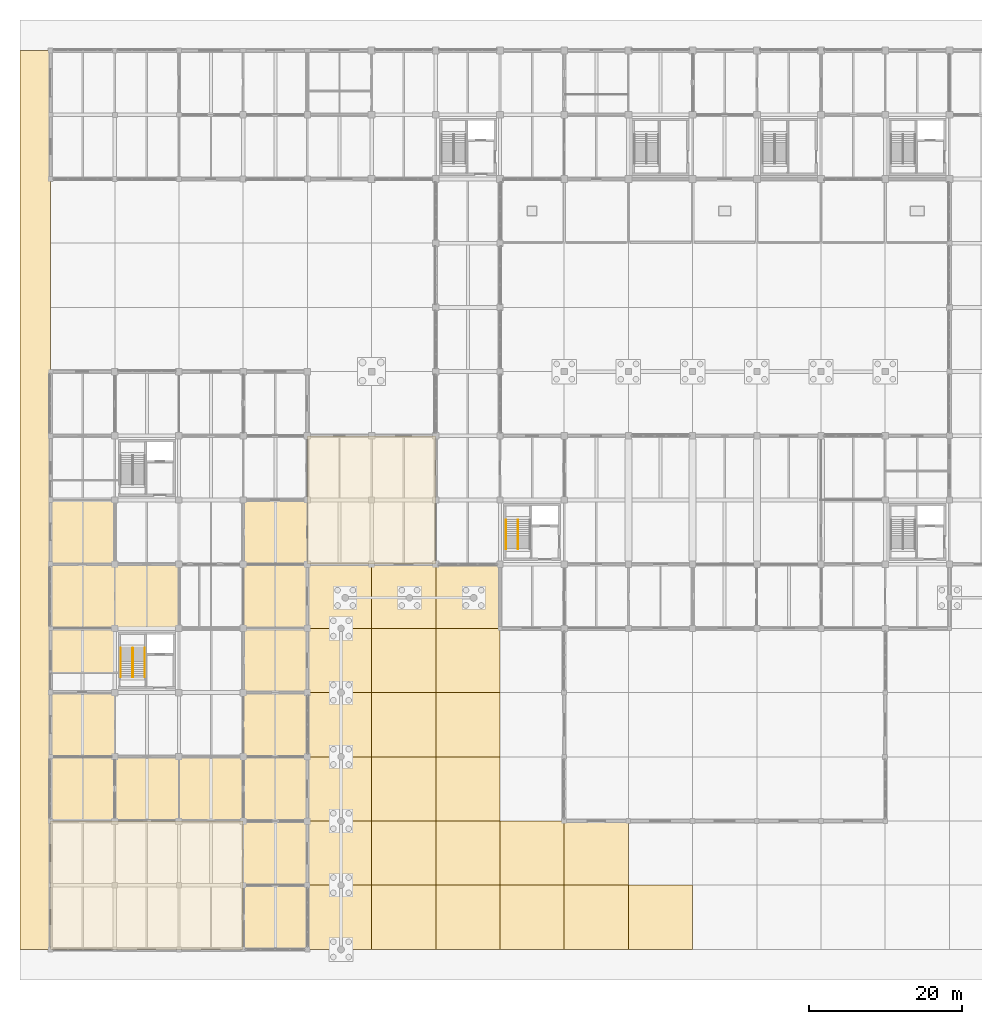
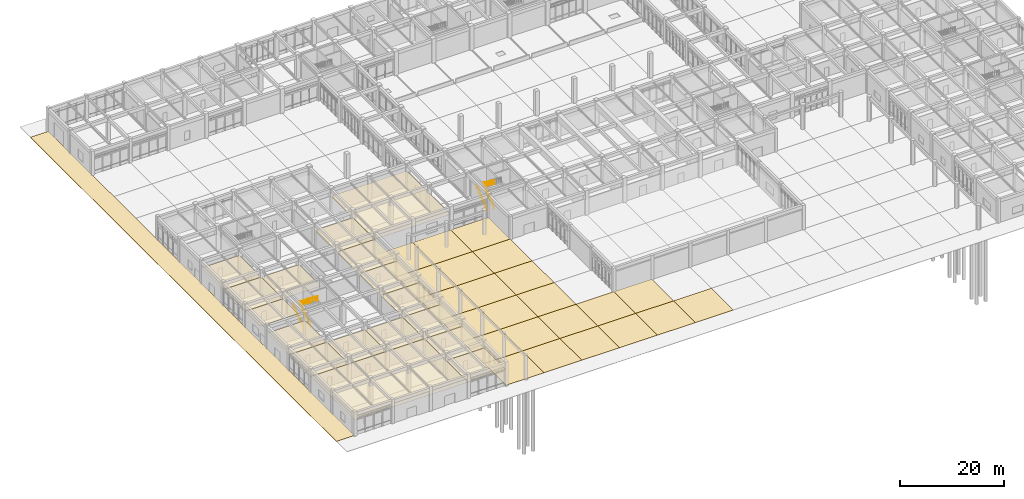
# One storey, part 85 of 91: 41 coverings, 7 railings.
"""IFC4 building model written with IfcOpenShell, lengths in metres."""

from ifc_helpers import new_model, si_unit, direction, frame, origin, origin_2d, place, context, subcontext, project, spatial, polyline, circle, outline, extrude, material, layer, layer_set, type_object, element, save


model = new_model("IFC4")

# Units and contexts
model_context = context("Model", 3, precision=1e-05, world=origin(), true_north=direction((0.0, 1.0)))
body_context = subcontext(model_context, "Body", "Model", "MODEL_VIEW")
ifc_project = project(units=[si_unit("LENGTHUNIT", "METRE"), si_unit("AREAUNIT", "SQUARE_METRE"), si_unit("VOLUMEUNIT", "CUBIC_METRE"), si_unit("PLANEANGLEUNIT", "RADIAN"), si_unit("MASSUNIT", "GRAM", prefix="KILO")], contexts=[model_context])

# Site, building, storey
site_placement = place(None, origin())
site = spatial("IfcSite", under=ifc_project, at=site_placement, CompositionType="ELEMENT")
building_placement = place(site_placement, origin())
building = spatial("IfcBuilding", under=site, at=building_placement, Name="Porcellanite Civic Hall", CompositionType="ELEMENT")
storey_placement = place(building_placement, origin())
storey = spatial("IfcBuildingStorey", under=building, at=storey_placement, Name="L00", CompositionType="ELEMENT", Elevation=0.0)

# Coverings
ifc_material_1 = material(Name="Perforated acoustic mineral-fibre and spotted-gum batten ceiling")
ifc_layer_1 = layer(ifc_material_1, 0.034912109375)
ifc_layer_set_1 = layer_set([ifc_layer_1], Name="Perforated acoustic mineral-fibre and spotted-gum batten ceiling")
covering_type_1 = type_object("IfcCoveringType", Name="COV-CL2", PredefinedType="CEILING", material=ifc_layer_set_1)
covering_1_placement = place(storey_placement, frame((0.0, 0.0, 3.625)))
element("IfcCovering", 1, at=covering_1_placement, inside=storey, type_object=covering_type_1, Name="Acoustic ceiling Civic Cafe", PredefinedType="CEILING", context=body_context, shape_type="SweptSolid", body=[
    extrude(outline(polyline([(0.010009765625, 0.010009765625), (25.18994140625, 0.010009765625), (25.18994140625, 16.7900390625), (0.010009765625, 16.7900390625), (0.010009765625, 0.010009765625)])), origin(), (0.0, 0.0, 1.0), 0.034912109375),
])
ifc_material_2 = material(Name="Perforated acoustic mineral-fibre and spotted-gum batten ceiling")
ifc_layer_2 = layer(ifc_material_2, 0.044921875)
ifc_layer_set_2 = layer_set([ifc_layer_2], Name="Perforated acoustic mineral-fibre and spotted-gum batten ceiling")
covering_type_2 = type_object("IfcCoveringType", Name="COV-CL3", PredefinedType="CEILING", material=ifc_layer_set_2)
covering_2_placement = place(storey_placement, frame((0.0, 0.0, 3.614990234375)))
element("IfcCovering", 2, at=covering_2_placement, inside=storey, type_object=covering_type_2, Name="Acoustic ceiling Civic Exhibition Gallery", PredefinedType="CEILING", context=body_context, shape_type="SweptSolid", body=[
    extrude(outline(polyline([(33.610107421875, 50.409912109375), (50.389892578125, 50.409912109375), (50.389892578125, 67.18994140625), (33.610107421875, 67.18994140625), (33.610107421875, 50.409912109375)])), origin(), (0.0, 0.0, 1.0), 0.044921875),
])
covering_3_placement = place(storey_placement, frame((0.0, 0.0, 3.614990234375)))
element("IfcCovering", 3, at=covering_3_placement, inside=storey, type_object=covering_type_2, Name="Acoustic ceiling Civic Advisory Suite L00-01", PredefinedType="CEILING", context=body_context, shape_type="SweptSolid", body=[
    extrude(outline(polyline([(0.010009765625, 16.81005859375), (8.389892578125, 16.81005859375), (8.389892578125, 25.18994140625), (0.010009765625, 25.18994140625), (0.010009765625, 16.81005859375)])), origin(), (0.0, 0.0, 1.0), 0.044921875),
])
covering_4_placement = place(storey_placement, frame((0.0, 0.0, 3.614990234375)))
element("IfcCovering", 4, at=covering_4_placement, inside=storey, type_object=covering_type_2, Name="Acoustic ceiling Mediation Hearing Room L00-02", PredefinedType="CEILING", context=body_context, shape_type="SweptSolid", body=[
    extrude(outline(polyline([(0.010009765625, 25.2099609375), (8.389892578125, 25.2099609375), (8.389892578125, 33.590087890625), (0.010009765625, 33.590087890625), (0.010009765625, 25.2099609375)])), origin(), (0.0, 0.0, 1.0), 0.044921875),
])
covering_5_placement = place(storey_placement, frame((0.0, 0.0, 3.614990234375)))
element("IfcCovering", 5, at=covering_5_placement, inside=storey, type_object=covering_type_2, Name="Acoustic ceiling Public Hearing Room L00-03", PredefinedType="CEILING", context=body_context, shape_type="SweptSolid", body=[
    extrude(outline(polyline([(0.010009765625, 36.18798828125), (8.389892578125, 36.18798828125), (8.389892578125, 41.989990234375), (0.010009765625, 41.989990234375), (0.010009765625, 36.18798828125)])), origin(), (0.0, 0.0, 1.0), 0.044921875),
])
covering_6_placement = place(storey_placement, frame((0.0, 0.0, 3.614990234375)))
element("IfcCovering", 6, at=covering_6_placement, inside=storey, type_object=covering_type_2, Name="Acoustic ceiling Civic Advisory Suite L00-04", PredefinedType="CEILING", context=body_context, shape_type="SweptSolid", body=[
    extrude(outline(polyline([(0.010009765625, 42.010009765625), (8.389892578125, 42.010009765625), (8.389892578125, 50.389892578125), (0.010009765625, 50.389892578125), (0.010009765625, 42.010009765625)])), origin(), (0.0, 0.0, 1.0), 0.044921875),
])
covering_7_placement = place(storey_placement, frame((0.0, 0.0, 3.614990234375)))
element("IfcCovering", 7, at=covering_7_placement, inside=storey, type_object=covering_type_2, Name="Acoustic ceiling Mediation Hearing Room L00-05", PredefinedType="CEILING", context=body_context, shape_type="SweptSolid", body=[
    extrude(outline(polyline([(0.010009765625, 50.409912109375), (8.389892578125, 50.409912109375), (8.389892578125, 58.7900390625), (0.010009765625, 58.7900390625), (0.010009765625, 50.409912109375)])), origin(), (0.0, 0.0, 1.0), 0.044921875),
])
covering_8_placement = place(storey_placement, frame((0.0, 0.0, 3.614990234375)))
element("IfcCovering", 8, at=covering_8_placement, inside=storey, type_object=covering_type_2, Name="Acoustic ceiling Mediation Hearing Room L00-08", PredefinedType="CEILING", context=body_context, shape_type="SweptSolid", body=[
    extrude(outline(polyline([(8.409912109375, 16.81005859375), (16.7900390625, 16.81005859375), (16.7900390625, 25.18994140625), (8.409912109375, 25.18994140625), (8.409912109375, 16.81005859375)])), origin(), (0.0, 0.0, 1.0), 0.044921875),
])
covering_9_placement = place(storey_placement, frame((0.0, 0.0, 3.614990234375)))
element("IfcCovering", 9, at=covering_9_placement, inside=storey, type_object=covering_type_2, Name="Acoustic ceiling Community Seminar Room L00-10", PredefinedType="CEILING", context=body_context, shape_type="SweptSolid", body=[
    extrude(outline(polyline([(8.409912109375, 42.010009765625), (16.7900390625, 42.010009765625), (16.7900390625, 50.389892578125), (8.409912109375, 50.389892578125), (8.409912109375, 42.010009765625)])), origin(), (0.0, 0.0, 1.0), 0.044921875),
])
covering_10_placement = place(storey_placement, frame((0.0, 0.0, 3.614990234375)))
element("IfcCovering", 10, at=covering_10_placement, inside=storey, type_object=covering_type_2, Name="Acoustic ceiling Mediation Hearing Room L00-13", PredefinedType="CEILING", context=body_context, shape_type="SweptSolid", body=[
    extrude(outline(polyline([(16.81005859375, 16.81005859375), (25.18994140625, 16.81005859375), (25.18994140625, 25.18994140625), (16.81005859375, 25.18994140625), (16.81005859375, 16.81005859375)])), origin(), (0.0, 0.0, 1.0), 0.044921875),
])
covering_11_placement = place(storey_placement, frame((0.0, 0.0, 3.614990234375)))
element("IfcCovering", 11, at=covering_11_placement, inside=storey, type_object=covering_type_2, Name="Acoustic ceiling Community Meeting Room L00-21", PredefinedType="CEILING", context=body_context, shape_type="SweptSolid", body=[
    extrude(outline(polyline([(25.2099609375, 0.010009765625), (33.590087890625, 0.010009765625), (33.590087890625, 8.389892578125), (25.2099609375, 8.389892578125), (25.2099609375, 0.010009765625)])), origin(), (0.0, 0.0, 1.0), 0.044921875),
])
covering_12_placement = place(storey_placement, frame((0.0, 0.0, 3.614990234375)))
element("IfcCovering", 12, at=covering_12_placement, inside=storey, type_object=covering_type_2, Name="Acoustic ceiling Committee Room L00-22", PredefinedType="CEILING", context=body_context, shape_type="SweptSolid", body=[
    extrude(outline(polyline([(25.2099609375, 8.409912109375), (33.590087890625, 8.409912109375), (33.590087890625, 16.7900390625), (25.2099609375, 16.7900390625), (25.2099609375, 8.409912109375)])), origin(), (0.0, 0.0, 1.0), 0.044921875),
])
covering_13_placement = place(storey_placement, frame((0.0, 0.0, 3.614990234375)))
element("IfcCovering", 13, at=covering_13_placement, inside=storey, type_object=covering_type_2, Name="Acoustic ceiling Community Seminar Room L00-23", PredefinedType="CEILING", context=body_context, shape_type="SweptSolid", body=[
    extrude(outline(polyline([(25.2099609375, 16.81005859375), (33.590087890625, 16.81005859375), (33.590087890625, 25.18994140625), (25.2099609375, 25.18994140625), (25.2099609375, 16.81005859375)])), origin(), (0.0, 0.0, 1.0), 0.044921875),
])
covering_14_placement = place(storey_placement, frame((0.0, 0.0, 3.614990234375)))
element("IfcCovering", 14, at=covering_14_placement, inside=storey, type_object=covering_type_2, Name="Acoustic ceiling Community Meeting Room L00-24", PredefinedType="CEILING", context=body_context, shape_type="SweptSolid", body=[
    extrude(outline(polyline([(25.2099609375, 25.2099609375), (33.590087890625, 25.2099609375), (33.590087890625, 33.590087890625), (25.2099609375, 33.590087890625), (25.2099609375, 25.2099609375)])), origin(), (0.0, 0.0, 1.0), 0.044921875),
])
covering_15_placement = place(storey_placement, frame((0.0, 0.0, 3.614990234375)))
element("IfcCovering", 15, at=covering_15_placement, inside=storey, type_object=covering_type_2, Name="Acoustic ceiling Committee Room L00-25", PredefinedType="CEILING", context=body_context, shape_type="SweptSolid", body=[
    extrude(outline(polyline([(25.2099609375, 33.610107421875), (33.590087890625, 33.610107421875), (33.590087890625, 41.989990234375), (25.2099609375, 41.989990234375), (25.2099609375, 33.610107421875)])), origin(), (0.0, 0.0, 1.0), 0.044921875),
])
covering_16_placement = place(storey_placement, frame((0.0, 0.0, 3.614990234375)))
element("IfcCovering", 16, at=covering_16_placement, inside=storey, type_object=covering_type_2, Name="Acoustic ceiling Community Seminar Room L00-26", PredefinedType="CEILING", context=body_context, shape_type="SweptSolid", body=[
    extrude(outline(polyline([(25.2099609375, 42.010009765625), (33.590087890625, 42.010009765625), (33.590087890625, 50.389892578125), (25.2099609375, 50.389892578125), (25.2099609375, 42.010009765625)])), origin(), (0.0, 0.0, 1.0), 0.044921875),
])
covering_17_placement = place(storey_placement, frame((0.0, 0.0, 3.614990234375)))
element("IfcCovering", 17, at=covering_17_placement, inside=storey, type_object=covering_type_2, Name="Acoustic ceiling Community Meeting Room L00-27", PredefinedType="CEILING", context=body_context, shape_type="SweptSolid", body=[
    extrude(outline(polyline([(25.2099609375, 50.409912109375), (33.590087890625, 50.409912109375), (33.590087890625, 58.7900390625), (25.2099609375, 58.7900390625), (25.2099609375, 50.409912109375)])), origin(), (0.0, 0.0, 1.0), 0.044921875),
])
ifc_material_3 = material(Name="Darwin porcellanite stone paving", Category="masonry")
ifc_layer_3 = layer(ifc_material_3, 0.10009765625)
ifc_layer_set_3 = layer_set([ifc_layer_3], Name="Darwin porcellanite stone paving")
covering_type_3 = type_object("IfcCoveringType", Name="COV-PAV100", PredefinedType="USERDEFINED", material=ifc_layer_set_3)
covering_18_placement = place(storey_placement, frame((0.0, 0.0, -0.10009765625)))
element("IfcCovering", 18, at=covering_18_placement, inside=storey, type_object=covering_type_3, Name="Porcellanite Square paving 5-1", ObjectType="PAVING", PredefinedType="USERDEFINED", context=body_context, shape_type="SweptSolid", body=[
    extrude(outline(polyline([(33.60009765625, 0.0), (42.0, 0.0), (42.0, 8.39990234375), (33.60009765625, 8.39990234375), (33.60009765625, 0.0)])), origin(), (0.0, 0.0, 1.0), 0.10009765625),
])
covering_19_placement = place(storey_placement, frame((0.0, 0.0, -0.10009765625)))
element("IfcCovering", 19, at=covering_19_placement, inside=storey, type_object=covering_type_3, Name="Porcellanite Square paving 5-2", ObjectType="PAVING", PredefinedType="USERDEFINED", context=body_context, shape_type="SweptSolid", body=[
    extrude(outline(polyline([(33.60009765625, 8.39990234375), (42.0, 8.39990234375), (42.0, 16.800048828125), (33.60009765625, 16.800048828125), (33.60009765625, 8.39990234375)])), origin(), (0.0, 0.0, 1.0), 0.10009765625),
])
covering_20_placement = place(storey_placement, frame((0.0, 0.0, -0.10009765625)))
element("IfcCovering", 20, at=covering_20_placement, inside=storey, type_object=covering_type_3, Name="Porcellanite Square paving 5-3", ObjectType="PAVING", PredefinedType="USERDEFINED", context=body_context, shape_type="SweptSolid", body=[
    extrude(outline(polyline([(33.60009765625, 16.800048828125), (42.0, 16.800048828125), (42.0, 25.199951171875), (33.60009765625, 25.199951171875), (33.60009765625, 16.800048828125)])), origin(), (0.0, 0.0, 1.0), 0.10009765625),
])
covering_21_placement = place(storey_placement, frame((0.0, 0.0, -0.10009765625)))
element("IfcCovering", 21, at=covering_21_placement, inside=storey, type_object=covering_type_3, Name="Porcellanite Square paving 5-4", ObjectType="PAVING", PredefinedType="USERDEFINED", context=body_context, shape_type="SweptSolid", body=[
    extrude(outline(polyline([(33.60009765625, 25.199951171875), (42.0, 25.199951171875), (42.0, 33.60009765625), (33.60009765625, 33.60009765625), (33.60009765625, 25.199951171875)])), origin(), (0.0, 0.0, 1.0), 0.10009765625),
])
covering_22_placement = place(storey_placement, frame((0.0, 0.0, -0.10009765625)))
element("IfcCovering", 22, at=covering_22_placement, inside=storey, type_object=covering_type_3, Name="Porcellanite Square paving 5-5", ObjectType="PAVING", PredefinedType="USERDEFINED", context=body_context, shape_type="SweptSolid", body=[
    extrude(outline(polyline([(33.60009765625, 33.60009765625), (42.0, 33.60009765625), (42.0, 42.0), (33.60009765625, 42.0), (33.60009765625, 33.60009765625)])), origin(), (0.0, 0.0, 1.0), 0.10009765625),
])
covering_23_placement = place(storey_placement, frame((0.0, 0.0, -0.10009765625)))
element("IfcCovering", 23, at=covering_23_placement, inside=storey, type_object=covering_type_3, Name="Porcellanite Square paving 5-6", ObjectType="PAVING", PredefinedType="USERDEFINED", context=body_context, shape_type="SweptSolid", body=[
    extrude(outline(polyline([(33.60009765625, 42.0), (42.0, 42.0), (42.0, 50.39990234375), (33.60009765625, 50.39990234375), (33.60009765625, 42.0)])), origin(), (0.0, 0.0, 1.0), 0.10009765625),
])
covering_24_placement = place(storey_placement, frame((0.0, 0.0, -0.10009765625)))
element("IfcCovering", 24, at=covering_24_placement, inside=storey, type_object=covering_type_3, Name="Porcellanite Square paving 6-1", ObjectType="PAVING", PredefinedType="USERDEFINED", context=body_context, shape_type="SweptSolid", body=[
    extrude(outline(polyline([(42.0, 0.0), (50.39990234375, 0.0), (50.39990234375, 8.39990234375), (42.0, 8.39990234375), (42.0, 0.0)])), origin(), (0.0, 0.0, 1.0), 0.10009765625),
])
covering_25_placement = place(storey_placement, frame((0.0, 0.0, -0.10009765625)))
element("IfcCovering", 25, at=covering_25_placement, inside=storey, type_object=covering_type_3, Name="Porcellanite Square paving 6-2", ObjectType="PAVING", PredefinedType="USERDEFINED", context=body_context, shape_type="SweptSolid", body=[
    extrude(outline(polyline([(42.0, 8.39990234375), (50.39990234375, 8.39990234375), (50.39990234375, 16.800048828125), (42.0, 16.800048828125), (42.0, 8.39990234375)])), origin(), (0.0, 0.0, 1.0), 0.10009765625),
])
covering_26_placement = place(storey_placement, frame((0.0, 0.0, -0.10009765625)))
element("IfcCovering", 26, at=covering_26_placement, inside=storey, type_object=covering_type_3, Name="Porcellanite Square paving 6-3", ObjectType="PAVING", PredefinedType="USERDEFINED", context=body_context, shape_type="SweptSolid", body=[
    extrude(outline(polyline([(42.0, 16.800048828125), (50.39990234375, 16.800048828125), (50.39990234375, 25.199951171875), (42.0, 25.199951171875), (42.0, 16.800048828125)])), origin(), (0.0, 0.0, 1.0), 0.10009765625),
])
covering_27_placement = place(storey_placement, frame((0.0, 0.0, -0.10009765625)))
element("IfcCovering", 27, at=covering_27_placement, inside=storey, type_object=covering_type_3, Name="Porcellanite Square paving 6-4", ObjectType="PAVING", PredefinedType="USERDEFINED", context=body_context, shape_type="SweptSolid", body=[
    extrude(outline(polyline([(42.0, 25.199951171875), (50.39990234375, 25.199951171875), (50.39990234375, 33.60009765625), (42.0, 33.60009765625), (42.0, 25.199951171875)])), origin(), (0.0, 0.0, 1.0), 0.10009765625),
])
covering_28_placement = place(storey_placement, frame((0.0, 0.0, -0.10009765625)))
element("IfcCovering", 28, at=covering_28_placement, inside=storey, type_object=covering_type_3, Name="Porcellanite Square paving 6-5", ObjectType="PAVING", PredefinedType="USERDEFINED", context=body_context, shape_type="SweptSolid", body=[
    extrude(outline(polyline([(42.0, 33.60009765625), (50.39990234375, 33.60009765625), (50.39990234375, 42.0), (42.0, 42.0), (42.0, 33.60009765625)])), origin(), (0.0, 0.0, 1.0), 0.10009765625),
])
covering_29_placement = place(storey_placement, frame((0.0, 0.0, -0.10009765625)))
element("IfcCovering", 29, at=covering_29_placement, inside=storey, type_object=covering_type_3, Name="Porcellanite Square paving 6-6", ObjectType="PAVING", PredefinedType="USERDEFINED", context=body_context, shape_type="SweptSolid", body=[
    extrude(outline(polyline([(42.0, 42.0), (50.39990234375, 42.0), (50.39990234375, 50.39990234375), (42.0, 50.39990234375), (42.0, 42.0)])), origin(), (0.0, 0.0, 1.0), 0.10009765625),
])
covering_30_placement = place(storey_placement, frame((0.0, 0.0, -0.10009765625)))
element("IfcCovering", 30, at=covering_30_placement, inside=storey, type_object=covering_type_3, Name="Porcellanite Square paving 7-1", ObjectType="PAVING", PredefinedType="USERDEFINED", context=body_context, shape_type="SweptSolid", body=[
    extrude(outline(polyline([(50.39990234375, 0.0), (58.800048828125, 0.0), (58.800048828125, 8.39990234375), (50.39990234375, 8.39990234375), (50.39990234375, 0.0)])), origin(), (0.0, 0.0, 1.0), 0.10009765625),
])
covering_31_placement = place(storey_placement, frame((0.0, 0.0, -0.10009765625)))
element("IfcCovering", 31, at=covering_31_placement, inside=storey, type_object=covering_type_3, Name="Porcellanite Square paving 7-2", ObjectType="PAVING", PredefinedType="USERDEFINED", context=body_context, shape_type="SweptSolid", body=[
    extrude(outline(polyline([(50.39990234375, 8.39990234375), (58.800048828125, 8.39990234375), (58.800048828125, 16.800048828125), (50.39990234375, 16.800048828125), (50.39990234375, 8.39990234375)])), origin(), (0.0, 0.0, 1.0), 0.10009765625),
])
covering_32_placement = place(storey_placement, frame((0.0, 0.0, -0.10009765625)))
element("IfcCovering", 32, at=covering_32_placement, inside=storey, type_object=covering_type_3, Name="Porcellanite Square paving 7-3", ObjectType="PAVING", PredefinedType="USERDEFINED", context=body_context, shape_type="SweptSolid", body=[
    extrude(outline(polyline([(50.39990234375, 16.800048828125), (58.800048828125, 16.800048828125), (58.800048828125, 25.199951171875), (50.39990234375, 25.199951171875), (50.39990234375, 16.800048828125)])), origin(), (0.0, 0.0, 1.0), 0.10009765625),
])
covering_33_placement = place(storey_placement, frame((0.0, 0.0, -0.10009765625)))
element("IfcCovering", 33, at=covering_33_placement, inside=storey, type_object=covering_type_3, Name="Porcellanite Square paving 7-4", ObjectType="PAVING", PredefinedType="USERDEFINED", context=body_context, shape_type="SweptSolid", body=[
    extrude(outline(polyline([(50.39990234375, 25.199951171875), (58.800048828125, 25.199951171875), (58.800048828125, 33.60009765625), (50.39990234375, 33.60009765625), (50.39990234375, 25.199951171875)])), origin(), (0.0, 0.0, 1.0), 0.10009765625),
])
covering_34_placement = place(storey_placement, frame((0.0, 0.0, -0.10009765625)))
element("IfcCovering", 34, at=covering_34_placement, inside=storey, type_object=covering_type_3, Name="Porcellanite Square paving 7-5", ObjectType="PAVING", PredefinedType="USERDEFINED", context=body_context, shape_type="SweptSolid", body=[
    extrude(outline(polyline([(50.39990234375, 33.60009765625), (58.800048828125, 33.60009765625), (58.800048828125, 42.0), (50.39990234375, 42.0), (50.39990234375, 33.60009765625)])), origin(), (0.0, 0.0, 1.0), 0.10009765625),
])
covering_35_placement = place(storey_placement, frame((0.0, 0.0, -0.10009765625)))
element("IfcCovering", 35, at=covering_35_placement, inside=storey, type_object=covering_type_3, Name="Porcellanite Square paving 7-6", ObjectType="PAVING", PredefinedType="USERDEFINED", context=body_context, shape_type="SweptSolid", body=[
    extrude(outline(polyline([(50.39990234375, 42.0), (58.800048828125, 42.0), (58.800048828125, 50.39990234375), (50.39990234375, 50.39990234375), (50.39990234375, 42.0)])), origin(), (0.0, 0.0, 1.0), 0.10009765625),
])
covering_36_placement = place(storey_placement, frame((0.0, 0.0, -0.10009765625)))
element("IfcCovering", 36, at=covering_36_placement, inside=storey, type_object=covering_type_3, Name="Porcellanite Square paving 8-1", ObjectType="PAVING", PredefinedType="USERDEFINED", context=body_context, shape_type="SweptSolid", body=[
    extrude(outline(polyline([(58.800048828125, 0.0), (67.199951171875, 0.0), (67.199951171875, 8.39990234375), (58.800048828125, 8.39990234375), (58.800048828125, 0.0)])), origin(), (0.0, 0.0, 1.0), 0.10009765625),
])
covering_37_placement = place(storey_placement, frame((0.0, 0.0, -0.10009765625)))
element("IfcCovering", 37, at=covering_37_placement, inside=storey, type_object=covering_type_3, Name="Porcellanite Square paving 8-2", ObjectType="PAVING", PredefinedType="USERDEFINED", context=body_context, shape_type="SweptSolid", body=[
    extrude(outline(polyline([(58.800048828125, 8.39990234375), (67.199951171875, 8.39990234375), (67.199951171875, 16.800048828125), (58.800048828125, 16.800048828125), (58.800048828125, 8.39990234375)])), origin(), (0.0, 0.0, 1.0), 0.10009765625),
])
covering_38_placement = place(storey_placement, frame((0.0, 0.0, -0.10009765625)))
element("IfcCovering", 38, at=covering_38_placement, inside=storey, type_object=covering_type_3, Name="Porcellanite Square paving 9-1", ObjectType="PAVING", PredefinedType="USERDEFINED", context=body_context, shape_type="SweptSolid", body=[
    extrude(outline(polyline([(67.199951171875, 0.0), (75.60009765625, 0.0), (75.60009765625, 8.39990234375), (67.199951171875, 8.39990234375), (67.199951171875, 0.0)])), origin(), (0.0, 0.0, 1.0), 0.10009765625),
])
covering_39_placement = place(storey_placement, frame((0.0, 0.0, -0.10009765625)))
element("IfcCovering", 39, at=covering_39_placement, inside=storey, type_object=covering_type_3, Name="Porcellanite Square paving 9-2", ObjectType="PAVING", PredefinedType="USERDEFINED", context=body_context, shape_type="SweptSolid", body=[
    extrude(outline(polyline([(67.199951171875, 8.39990234375), (75.60009765625, 8.39990234375), (75.60009765625, 16.800048828125), (67.199951171875, 16.800048828125), (67.199951171875, 8.39990234375)])), origin(), (0.0, 0.0, 1.0), 0.10009765625),
])
covering_40_placement = place(storey_placement, frame((0.0, 0.0, -0.10009765625)))
element("IfcCovering", 40, at=covering_40_placement, inside=storey, type_object=covering_type_3, Name="Porcellanite Square paving 10-1", ObjectType="PAVING", PredefinedType="USERDEFINED", context=body_context, shape_type="SweptSolid", body=[
    extrude(outline(polyline([(75.60009765625, 0.0), (84.0, 0.0), (84.0, 8.39990234375), (75.60009765625, 8.39990234375), (75.60009765625, 0.0)])), origin(), (0.0, 0.0, 1.0), 0.10009765625),
])
covering_41_placement = place(storey_placement, frame((0.0, 0.0, -0.10009765625)))
element("IfcCovering", 41, at=covering_41_placement, inside=storey, type_object=covering_type_3, Name="Perimeter civic promenade paving W", ObjectType="PAVING", PredefinedType="USERDEFINED", context=body_context, shape_type="SweptSolid", body=[
    extrude(outline(polyline([(-4.0, 0.0), (0.0, 0.0), (0.0, 117.60009765625), (-4.0, 117.60009765625), (-4.0, 0.0)])), origin(), (0.0, 0.0, 1.0), 0.10009765625),
])

# Railings
ifc_material_4 = material(Name="Brushed stainless steel 316", Category="steel")
railing_type_1 = type_object("IfcRailingType", Name="RL-HR920", PredefinedType="HANDRAIL", material=ifc_material_4)
railing_1_placement = place(storey_placement, frame((9.18505859375, 35.60009765625, 0.0)))
element("IfcRailing", 42, at=railing_1_placement, inside=storey, type_object=railing_type_1, Name="Stair handrail ST-01 L00 1", PredefinedType="HANDRAIL", context=body_context, shape_type="SweptSolid", body=[
    extrude(circle(Radius=0.02197265625, at=origin_2d()), frame((0.0, 0.0, 0.89794921875), z_axis=(0.0, 0.798878840457, 0.601491976896), x_axis=(-1.0, 0.0, 0.0)), (0.0, 0.0, 1.0), 4.787841796875),
    extrude(circle(Radius=0.01904296875, at=origin_2d()), origin(), (0.0, 0.0, 1.0), 0.8759765625),
    extrude(circle(Radius=0.01904296875, at=origin_2d()), frame((0.0, 0.764892578125, 0.575927734375)), (0.0, 0.0, 1.0), 0.8759765625),
    extrude(circle(Radius=0.01904296875, at=origin_2d()), frame((0.0, 1.530029296875, 1.15185546875)), (0.0, 0.0, 1.0), 0.8759765625),
    extrude(circle(Radius=0.01904296875, at=origin_2d()), frame((0.0, 2.294921875, 1.72802734375)), (0.0, 0.0, 1.0), 0.8759765625),
    extrude(circle(Radius=0.01904296875, at=origin_2d()), frame((0.0, 3.06005859375, 2.303955078125)), (0.0, 0.0, 1.0), 0.8759765625),
    extrude(circle(Radius=0.01904296875, at=origin_2d()), frame((0.0, 3.824951171875, 2.8798828125)), (0.0, 0.0, 1.0), 0.8759765625),
])
railing_2_placement = place(storey_placement, frame((10.764892578125, 39.425048828125, 2.8798828125)))
element("IfcRailing", 43, at=railing_2_placement, inside=storey, type_object=railing_type_1, Name="Stair handrail ST-01 L00 3", PredefinedType="HANDRAIL", context=body_context, shape_type="SweptSolid", body=[
    extrude(circle(Radius=0.02197265625, at=origin_2d()), frame((0.0, 0.0, 0.89794921875), z_axis=(0.0, -0.798854338303, 0.601524518348), x_axis=(1.0, 0.0, 0.0)), (0.0, 0.0, 1.0), 4.7880859375),
    extrude(circle(Radius=0.01904296875, at=origin_2d()), origin(), (0.0, 0.0, 1.0), 0.8759765625),
    extrude(circle(Radius=0.01904296875, at=origin_2d()), frame((0.0, -0.764892578125, 0.575927734375)), (0.0, 0.0, 1.0), 0.8759765625),
    extrude(circle(Radius=0.01904296875, at=origin_2d()), frame((0.0, -1.530029296875, 1.152099609375)), (0.0, 0.0, 1.0), 0.8759765625),
    extrude(circle(Radius=0.01904296875, at=origin_2d()), frame((0.0, -2.294921875, 1.72802734375)), (0.0, 0.0, 1.0), 0.8759765625),
    extrude(circle(Radius=0.01904296875, at=origin_2d()), frame((0.0, -3.06005859375, 2.30419921875)), (0.0, 0.0, 1.0), 0.8759765625),
    extrude(circle(Radius=0.01904296875, at=origin_2d()), frame((0.0, -3.824951171875, 2.880126953125)), (0.0, 0.0, 1.0), 0.8759765625),
])
railing_3_placement = place(storey_placement, frame((59.5849609375, 52.39990234375, 0.0)))
element("IfcRailing", 44, at=railing_3_placement, inside=storey, type_object=railing_type_1, Name="Stair handrail ST-05 L00 1", PredefinedType="HANDRAIL", context=body_context, shape_type="SweptSolid", body=[
    extrude(circle(Radius=0.02197265625, at=origin_2d()), frame((0.0, 0.0, 0.89794921875), z_axis=(0.0, 0.798897287562, 0.601467475369), x_axis=(-1.0, 0.0, 0.0)), (0.0, 0.0, 1.0), 4.7880859375),
    extrude(circle(Radius=0.01904296875, at=origin_2d()), origin(), (0.0, 0.0, 1.0), 0.8759765625),
    extrude(circle(Radius=0.01904296875, at=origin_2d()), frame((0.0, 0.76513671875, 0.575927734375)), (0.0, 0.0, 1.0), 0.8759765625),
    extrude(circle(Radius=0.01904296875, at=origin_2d()), frame((0.0, 1.530029296875, 1.15185546875)), (0.0, 0.0, 1.0), 0.8759765625),
    extrude(circle(Radius=0.01904296875, at=origin_2d()), frame((0.0, 2.295166015625, 1.72802734375)), (0.0, 0.0, 1.0), 0.8759765625),
    extrude(circle(Radius=0.01904296875, at=origin_2d()), frame((0.0, 3.06005859375, 2.303955078125)), (0.0, 0.0, 1.0), 0.8759765625),
    extrude(circle(Radius=0.01904296875, at=origin_2d()), frame((0.0, 3.8251953125, 2.8798828125)), (0.0, 0.0, 1.0), 0.8759765625),
])
railing_4_placement = place(storey_placement, frame((61.1650390625, 56.22509765625, 2.8798828125)))
element("IfcRailing", 45, at=railing_4_placement, inside=storey, type_object=railing_type_1, Name="Stair handrail ST-05 L00 3", PredefinedType="HANDRAIL", context=body_context, shape_type="SweptSolid", body=[
    extrude(circle(Radius=0.02197265625, at=origin_2d()), frame((0.0, 0.0, 0.89794921875), z_axis=(0.0, -0.798872786838, 0.601500016998), x_axis=(1.0, 0.0, 0.0)), (0.0, 0.0, 1.0), 4.788330078125),
    extrude(circle(Radius=0.01904296875, at=origin_2d()), origin(), (0.0, 0.0, 1.0), 0.8759765625),
    extrude(circle(Radius=0.01904296875, at=origin_2d()), frame((0.0, -0.76513671875, 0.575927734375)), (0.0, 0.0, 1.0), 0.8759765625),
    extrude(circle(Radius=0.01904296875, at=origin_2d()), frame((0.0, -1.530029296875, 1.152099609375)), (0.0, 0.0, 1.0), 0.8759765625),
    extrude(circle(Radius=0.01904296875, at=origin_2d()), frame((0.0, -2.295166015625, 1.72802734375)), (0.0, 0.0, 1.0), 0.8759765625),
    extrude(circle(Radius=0.01904296875, at=origin_2d()), frame((0.0, -3.06005859375, 2.30419921875)), (0.0, 0.0, 1.0), 0.8759765625),
    extrude(circle(Radius=0.01904296875, at=origin_2d()), frame((0.0, -3.8251953125, 2.880126953125)), (0.0, 0.0, 1.0), 0.8759765625),
])
ifc_material_5 = material(Name="Brushed stainless steel 316", Category="steel")
railing_type_2 = type_object("IfcRailingType", Name="RL-HR950", PredefinedType="HANDRAIL", material=ifc_material_5)
railing_5_placement = place(storey_placement, frame((10.735107421875, 35.60009765625, 0.0)))
element("IfcRailing", 46, at=railing_5_placement, inside=storey, type_object=railing_type_2, Name="Stair handrail ST-01 L00 2", PredefinedType="HANDRAIL", context=body_context, shape_type="SweptSolid", body=[
    extrude(circle(Radius=0.02197265625, at=origin_2d()), frame((0.0, 0.0, 0.927978515625), z_axis=(0.0, 0.798878840457, 0.601491976896), x_axis=(-1.0, 0.0, 0.0)), (0.0, 0.0, 1.0), 4.787841796875),
    extrude(circle(Radius=0.01904296875, at=origin_2d()), origin(), (0.0, 0.0, 1.0), 0.906005859375),
    extrude(circle(Radius=0.01904296875, at=origin_2d()), frame((0.0, 0.764892578125, 0.575927734375)), (0.0, 0.0, 1.0), 0.906005859375),
    extrude(circle(Radius=0.01904296875, at=origin_2d()), frame((0.0, 1.530029296875, 1.15185546875)), (0.0, 0.0, 1.0), 0.906005859375),
    extrude(circle(Radius=0.01904296875, at=origin_2d()), frame((0.0, 2.294921875, 1.72802734375)), (0.0, 0.0, 1.0), 0.906005859375),
    extrude(circle(Radius=0.01904296875, at=origin_2d()), frame((0.0, 3.06005859375, 2.303955078125)), (0.0, 0.0, 1.0), 0.906005859375),
    extrude(circle(Radius=0.01904296875, at=origin_2d()), frame((0.0, 3.824951171875, 2.8798828125)), (0.0, 0.0, 1.0), 0.906005859375),
])
railing_6_placement = place(storey_placement, frame((12.31494140625, 39.425048828125, 2.8798828125)))
element("IfcRailing", 47, at=railing_6_placement, inside=storey, type_object=railing_type_2, Name="Stair handrail ST-01 L00 4", PredefinedType="HANDRAIL", context=body_context, shape_type="SweptSolid", body=[
    extrude(circle(Radius=0.02197265625, at=origin_2d()), frame((0.0, 0.0, 0.927978515625), z_axis=(0.0, -0.798854338303, 0.601524518348), x_axis=(1.0, 0.0, 0.0)), (0.0, 0.0, 1.0), 4.7880859375),
    extrude(circle(Radius=0.01904296875, at=origin_2d()), origin(), (0.0, 0.0, 1.0), 0.906005859375),
    extrude(circle(Radius=0.01904296875, at=origin_2d()), frame((0.0, -0.764892578125, 0.575927734375)), (0.0, 0.0, 1.0), 0.906005859375),
    extrude(circle(Radius=0.01904296875, at=origin_2d()), frame((0.0, -1.530029296875, 1.152099609375)), (0.0, 0.0, 1.0), 0.906005859375),
    extrude(circle(Radius=0.01904296875, at=origin_2d()), frame((0.0, -2.294921875, 1.72802734375)), (0.0, 0.0, 1.0), 0.906005859375),
    extrude(circle(Radius=0.01904296875, at=origin_2d()), frame((0.0, -3.06005859375, 2.30419921875)), (0.0, 0.0, 1.0), 0.906005859375),
    extrude(circle(Radius=0.01904296875, at=origin_2d()), frame((0.0, -3.824951171875, 2.880126953125)), (0.0, 0.0, 1.0), 0.906005859375),
])
railing_7_placement = place(storey_placement, frame((61.135009765625, 52.39990234375, 0.0)))
element("IfcRailing", 48, at=railing_7_placement, inside=storey, type_object=railing_type_2, Name="Stair handrail ST-05 L00 2", PredefinedType="HANDRAIL", context=body_context, shape_type="SweptSolid", body=[
    extrude(circle(Radius=0.02197265625, at=origin_2d()), frame((0.0, 0.0, 0.927978515625), z_axis=(0.0, 0.798897287562, 0.601467475369), x_axis=(-1.0, 0.0, 0.0)), (0.0, 0.0, 1.0), 4.7880859375),
    extrude(circle(Radius=0.01904296875, at=origin_2d()), origin(), (0.0, 0.0, 1.0), 0.906005859375),
    extrude(circle(Radius=0.01904296875, at=origin_2d()), frame((0.0, 0.76513671875, 0.575927734375)), (0.0, 0.0, 1.0), 0.906005859375),
    extrude(circle(Radius=0.01904296875, at=origin_2d()), frame((0.0, 1.530029296875, 1.15185546875)), (0.0, 0.0, 1.0), 0.906005859375),
    extrude(circle(Radius=0.01904296875, at=origin_2d()), frame((0.0, 2.295166015625, 1.72802734375)), (0.0, 0.0, 1.0), 0.906005859375),
    extrude(circle(Radius=0.01904296875, at=origin_2d()), frame((0.0, 3.06005859375, 2.303955078125)), (0.0, 0.0, 1.0), 0.906005859375),
    extrude(circle(Radius=0.01904296875, at=origin_2d()), frame((0.0, 3.8251953125, 2.8798828125)), (0.0, 0.0, 1.0), 0.906005859375),
])

save(model, "model.ifc")
